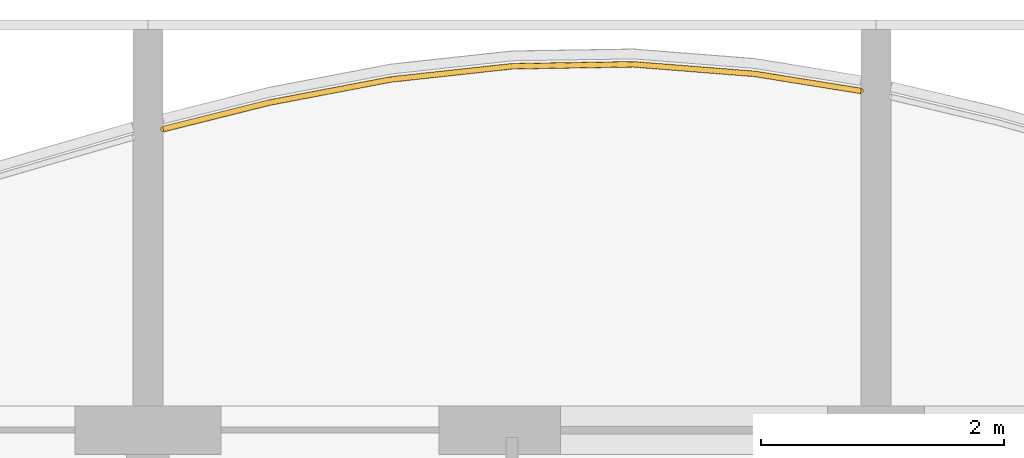
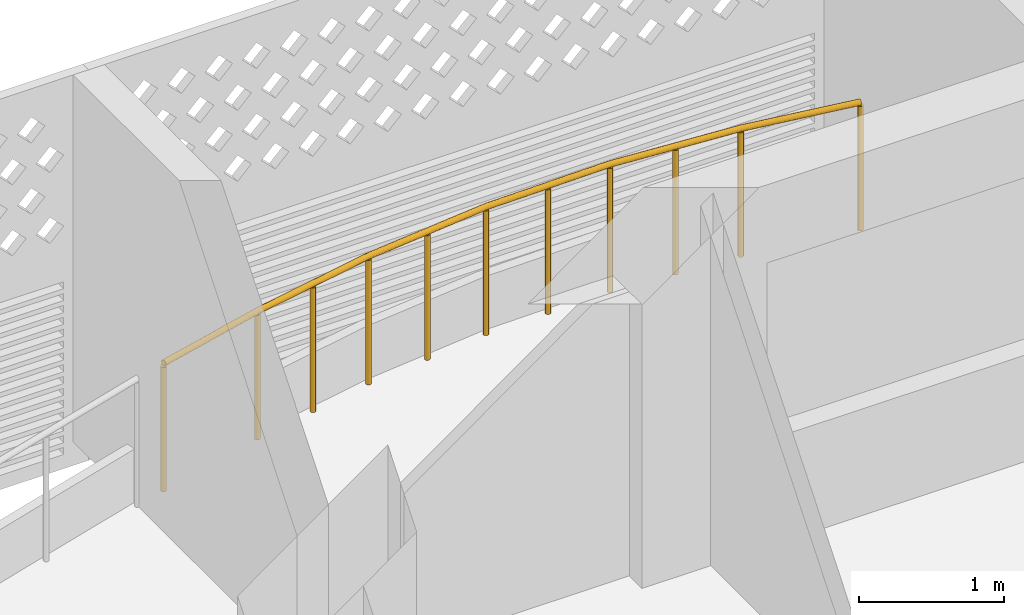
# One storey, part 20 of 27: 1 railing.
"""IFC4 building model written with IfcOpenShell, lengths in metres."""

from ifc_helpers import new_model, si_unit, direction, frame, origin, origin_2d, place, context, subcontext, project, spatial, circle, extrude, material, type_object, element, save


model = new_model("IFC4")

# Units and contexts
model_context = context("Model", 3, precision=1e-05, world=origin(), true_north=direction((0.0, 1.0)))
body_context = subcontext(model_context, "Body", "Model", "MODEL_VIEW")
ifc_project = project(units=[si_unit("LENGTHUNIT", "METRE"), si_unit("AREAUNIT", "SQUARE_METRE"), si_unit("VOLUMEUNIT", "CUBIC_METRE"), si_unit("PLANEANGLEUNIT", "RADIAN"), si_unit("MASSUNIT", "GRAM", prefix="KILO")], contexts=[model_context])

# Site, building, storey
site_placement = place(None, origin())
site = spatial("IfcSite", under=ifc_project, at=site_placement, CompositionType="ELEMENT")
building_placement = place(site_placement, origin())
building = spatial("IfcBuilding", under=site, at=building_placement, Name="Poui Terraces", CompositionType="ELEMENT")
storey_placement = place(building_placement, frame((0.0, 0.0, 76.199951171875)))
storey = spatial("IfcBuildingStorey", under=building, at=storey_placement, Name="L20", CompositionType="ELEMENT", Elevation=76.199951171875)

# Railing
ifc_material = material(Name="Painted steel fretwork", Category="steel")
railing_type = type_object("IfcRailingType", Name="BALCONY GUARD 1100", PredefinedType="GUARDRAIL", material=ifc_material)
railing_placement = place(storey_placement, frame((18.125, 46.080322265625, 0.0)))
element("IfcRailing", 1, at=railing_placement, inside=storey, type_object=railing_type, Name="BALCONY GUARD", PredefinedType="GUARDRAIL", context=body_context, shape_type="SweptSolid", body=[
    extrude(circle(Radius=0.02392578125, at=origin_2d()), frame((0.0, 0.0, 1.076171875), z_axis=(0.970142500145, 0.242535625036, 0.0), x_axis=(-0.242535625036, 0.970142500145, 0.0)), (0.0, 0.0, 1.0), 0.90185546875),
    extrude(circle(Radius=0.02392578125, at=origin_2d()), frame((0.875, 0.21875, 1.076171875), z_axis=(0.982302864177, 0.187299447491, 0.0), x_axis=(-0.187299447491, 0.982302864177, 0.0)), (0.0, 0.0, 1.0), 1.01806640625),
    extrude(circle(Radius=0.02392578125, at=origin_2d()), frame((1.875, 0.409423828125, 1.076171875), z_axis=(0.994124040351, 0.108246904784, 0.0), x_axis=(-0.108246904784, 0.994124040351, 0.0)), (0.0, 0.0, 1.0), 1.005859375),
    extrude(circle(Radius=0.02392578125, at=origin_2d()), frame((2.875, 0.518310546875, 1.076171875), z_axis=(0.999870206358, 0.016111189849, 0.0), x_axis=(-0.016111189849, 0.999870206358, 0.0)), (0.0, 0.0, 1.0), 1.000244140625),
    extrude(circle(Radius=0.02392578125, at=origin_2d()), frame((3.875, 0.534423828125, 1.076171875), z_axis=(0.996905179889, -0.07861337234, 0.0), x_axis=(0.07861337234, 0.996905179889, 0.0)), (0.0, 0.0, 1.0), 1.003173828125),
    extrude(circle(Radius=0.02392578125, at=origin_2d()), frame((4.875, 0.45556640625, 1.076171875), z_axis=(0.987373495895, -0.158409531289, 0.0), x_axis=(0.158409531289, 0.987373495895, 0.0)), (0.0, 0.0, 1.0), 0.88623046875),
    extrude(circle(Radius=0.02099609375, at=origin_2d()), origin(), (0.0, 0.0, 1.0), 1.052001953125),
    extrude(circle(Radius=0.02099609375, at=origin_2d()), frame((0.875, 0.21875, 0.0)), (0.0, 0.0, 1.0), 1.052001953125),
    extrude(circle(Radius=0.02099609375, at=origin_2d()), frame((1.375, 0.31396484375, 0.0)), (0.0, 0.0, 1.0), 1.052001953125),
    extrude(circle(Radius=0.02099609375, at=origin_2d()), frame((1.875, 0.409423828125, 0.0)), (0.0, 0.0, 1.0), 1.052001953125),
    extrude(circle(Radius=0.02099609375, at=origin_2d()), frame((2.375, 0.4638671875, 0.0)), (0.0, 0.0, 1.0), 1.052001953125),
    extrude(circle(Radius=0.02099609375, at=origin_2d()), frame((2.875, 0.518310546875, 0.0)), (0.0, 0.0, 1.0), 1.052001953125),
    extrude(circle(Radius=0.02099609375, at=origin_2d()), frame((3.375, 0.5263671875, 0.0)), (0.0, 0.0, 1.0), 1.052001953125),
    extrude(circle(Radius=0.02099609375, at=origin_2d()), frame((3.875, 0.534423828125, 0.0)), (0.0, 0.0, 1.0), 1.052001953125),
    extrude(circle(Radius=0.02099609375, at=origin_2d()), frame((4.375, 0.4951171875, 0.0)), (0.0, 0.0, 1.0), 1.052001953125),
    extrude(circle(Radius=0.02099609375, at=origin_2d()), frame((4.875, 0.45556640625, 0.0)), (0.0, 0.0, 1.0), 1.052001953125),
    extrude(circle(Radius=0.02099609375, at=origin_2d()), frame((5.75, 0.315185546875, 0.0)), (0.0, 0.0, 1.0), 1.052001953125),
])

save(model, "model.ifc")
